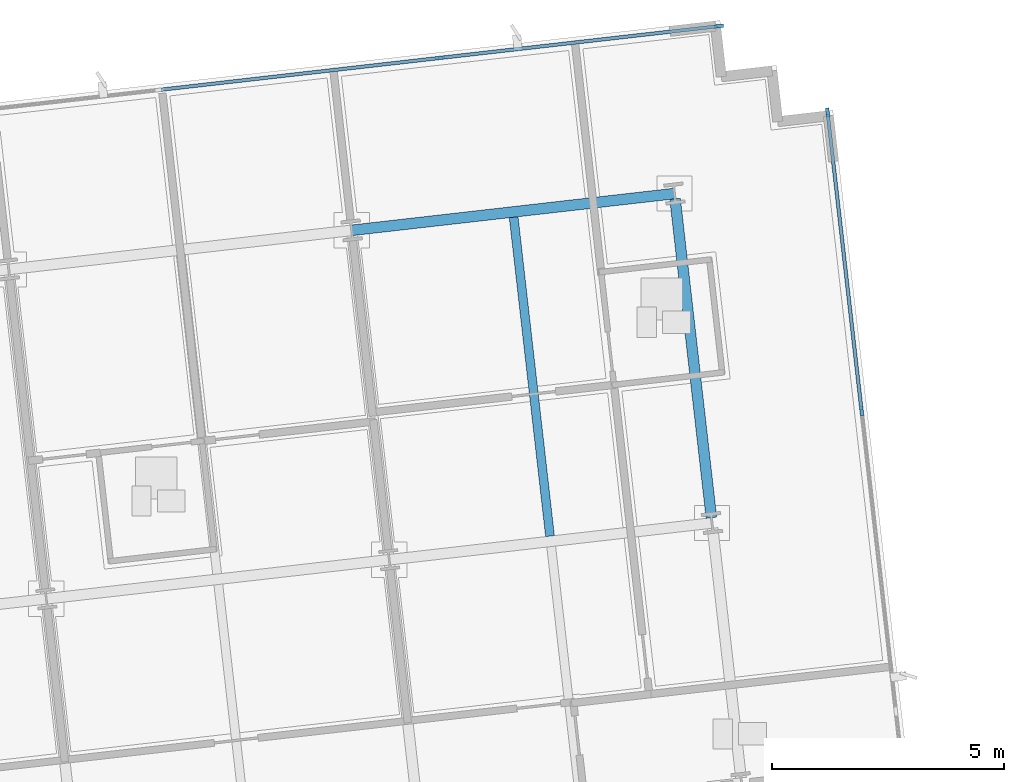
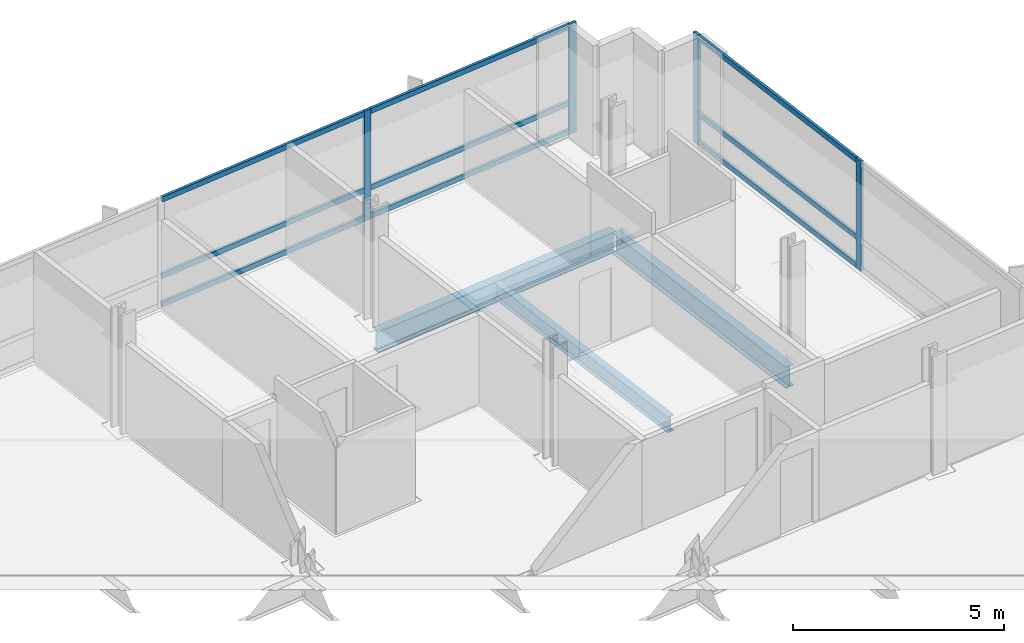
# One storey, part 6 of 17: 13 members, 3 beams, 2 elements without a shape of their own.
"""IFC4 building model written with IfcOpenShell, lengths in metres."""

from ifc_helpers import new_model, si_unit, direction, frame, origin, origin_2d, place, context, subcontext, project, spatial, rectangle, i_section, extrude, material, material_profile, profile_set, type_object, element, aggregate, save


model = new_model("IFC4")

# Units and contexts
model_context = context("Model", 3, precision=1e-05, world=origin(), true_north=direction((0.0, 1.0)))
body_context = subcontext(model_context, "Body", "Model", "MODEL_VIEW")
ifc_project = project(units=[si_unit("LENGTHUNIT", "METRE"), si_unit("AREAUNIT", "SQUARE_METRE"), si_unit("VOLUMEUNIT", "CUBIC_METRE"), si_unit("PLANEANGLEUNIT", "RADIAN"), si_unit("MASSUNIT", "GRAM", prefix="KILO")], contexts=[model_context])

# Site, building, storey
site_placement = place(None, origin())
site = spatial("IfcSite", under=ifc_project, at=site_placement, CompositionType="ELEMENT")
building_placement = place(site_placement, origin())
building = spatial("IfcBuilding", under=site, at=building_placement, Name="Solmavex Isthmus Hotel", CompositionType="ELEMENT")
storey_placement = place(building_placement, frame((0.0, 0.0, 198.60009765625)))
storey = spatial("IfcBuildingStorey", under=building, at=storey_placement, Name="L53", CompositionType="ELEMENT", Elevation=198.60009765625)

# Beams
ifc_material_1 = material(Name="Steel ASTM A992 Grade 50", Category="steel")
ifc_material_profile_1 = material_profile(ifc_material_1, i_section(OverallWidth=0.1904296875, OverallDepth=0.456787109375, WebThickness=0.009033203125, FlangeThickness=0.014404296875, FilletRadius=0.0126953125, at=origin_2d()), Name="W18X50")
ifc_profile_set_1 = profile_set([ifc_material_profile_1], Name="Steel ASTM A992 Grade 50")
beam_type_1 = type_object("IfcBeamType", Name="BM-BJ-W18X50", PredefinedType="JOIST", material=ifc_profile_set_1)
beam_1_placement = place(storey_placement, frame((21.587646484375, 11.7939453125, -0.488525390625), z_axis=(-0.113202453846, 0.993571942258, 0.0), x_axis=(-0.993571942258, -0.113202453846, 0.0)))
element("IfcBeam", 1, at=beam_1_placement, inside=storey, type_object=beam_type_1, Name="Secondary Floor Joist L53-J21", PredefinedType="JOIST", context=body_context, shape_type="SweptSolid", body=[
    extrude(i_section(OverallWidth=0.1904296875, OverallDepth=0.456787109375, WebThickness=0.009033203125, FlangeThickness=0.014404296875, FilletRadius=0.0126953125, at=origin_2d()), origin(), (0.0, 0.0, 1.0), 6.9228515625),
])
ifc_material_profile_2 = material_profile(ifc_material_1, i_section(OverallWidth=0.230224609375, OverallDepth=0.617431640625, WebThickness=0.01318359375, FlangeThickness=0.022216796875, FilletRadius=0.01513671875, at=origin_2d()), Name="W24X94")
ifc_profile_set_2 = profile_set([ifc_material_profile_2], Name="Steel ASTM A992 Grade 50")
beam_type_2 = type_object("IfcBeamType", Name="BM-SP-W24X94", PredefinedType="SPANDREL", material=ifc_profile_set_2)
beam_2_placement = place(storey_placement, frame((17.3095703125, 18.39013671875, -0.56884765625), z_axis=(0.99357359356, 0.113187959519, 0.0), x_axis=(-0.113187959519, 0.99357359356, 0.0)))
element("IfcBeam", 2, at=beam_2_placement, inside=storey, type_object=beam_type_2, Name="Floor Girder L53-UG23", PredefinedType="SPANDREL", context=body_context, shape_type="SweptSolid", body=[
    extrude(i_section(OverallWidth=0.230224609375, OverallDepth=0.617431640625, WebThickness=0.01318359375, FlangeThickness=0.022216796875, FilletRadius=0.01513671875, at=origin_2d()), origin(), (0.0, 0.0, 1.0), 7.0078125),
])
beam_3_placement = place(storey_placement, frame((25.0693359375, 12.1904296875, -0.56884765625), z_axis=(-0.113202453846, 0.993571942258, 0.0), x_axis=(-0.993571942258, -0.113202453846, 0.0)))
element("IfcBeam", 3, at=beam_3_placement, inside=storey, type_object=beam_type_2, Name="Floor Beam L53-VG45", PredefinedType="SPANDREL", context=body_context, shape_type="SweptSolid", body=[
    extrude(i_section(OverallWidth=0.230224609375, OverallDepth=0.617431640625, WebThickness=0.01318359375, FlangeThickness=0.022216796875, FilletRadius=0.01513671875, at=origin_2d()), origin(), (0.0, 0.0, 1.0), 6.9228515625),
])

# Curtain wall, members
ifc_material_2 = material(Name="Aluminium alloy 6063-T6", Category="aluminium")
curtain_wall_type = type_object("IfcCurtainWallType", Name="CW-SYS-04", PredefinedType="NOTDEFINED", material=ifc_material_2)
curtain_wall_1_placement = place(storey_placement, origin())
curtain_wall_1 = element("IfcCurtainWall", 4, at=curtain_wall_1_placement, inside=storey, type_object=curtain_wall_type, Name="Stick Curtain Wall CWL-L53-N3", PredefinedType="NOTDEFINED")
ifc_material_profile_3 = material_profile(ifc_material_2, rectangle(XDim=0.074951171875, YDim=0.199951171875, at=origin_2d()), Name="CWM-75X200")
ifc_profile_set_3 = profile_set([ifc_material_profile_3], Name="Aluminium alloy 6063-T6")
member_type_1 = type_object("IfcMemberType", Name="CW-SYS-04-MUL", PredefinedType="MULLION", material=ifc_profile_set_3)
member_1_placement = place(storey_placement, frame((19.21630859375, 22.10986328125, 0.0), z_axis=(0.0, 0.0, 1.0), x_axis=(-0.113203493636, 0.99357182379, 0.0)))
member_1 = element("IfcMember", 5, at=member_1_placement, type_object=member_type_1, Name="CW-04 mullion 3", PredefinedType="MULLION", context=body_context, shape_type="SweptSolid", body=[
    extrude(rectangle(XDim=0.074951171875, YDim=0.199951171875, at=origin_2d()), origin(), (0.0, 0.0, 1.0), 3.18994140625),
])
member_2_placement = place(storey_placement, frame((25.232177734375, 22.795166015625, 0.0), z_axis=(0.0, 0.0, 1.0), x_axis=(-0.113203493636, 0.99357182379, 0.0)))
member_2 = element("IfcMember", 6, at=member_2_placement, type_object=member_type_1, Name="CW-04 mullion 4", PredefinedType="MULLION", context=body_context, shape_type="SweptSolid", body=[
    extrude(rectangle(XDim=0.074951171875, YDim=0.199951171875, at=origin_2d()), origin(), (0.0, 0.0, 1.0), 3.18994140625),
])

curtain_wall_2_placement = place(storey_placement, origin())
curtain_wall_2 = element("IfcCurtainWall", 7, at=curtain_wall_2_placement, inside=storey, type_object=curtain_wall_type, Name="Stick Curtain Wall CWL-L53-E1", PredefinedType="NOTDEFINED")
member_3_placement = place(storey_placement, frame((28.309814453125, 14.490234375, 0.0), z_axis=(0.0, 0.0, 1.0), x_axis=(-0.993571836648, -0.11320338078, 0.0)))
member_3 = element("IfcMember", 8, at=member_3_placement, type_object=member_type_1, Name="CW-04 mullion 5", PredefinedType="MULLION", context=body_context, shape_type="SweptSolid", body=[
    extrude(rectangle(XDim=0.074951171875, YDim=0.199951171875, at=origin_2d()), origin(), (0.0, 0.0, 1.0), 3.18994140625),
])
member_4_placement = place(storey_placement, frame((27.575927734375, 20.93115234375, 0.0), z_axis=(0.0, 0.0, 1.0), x_axis=(-0.993571836648, -0.11320338078, 0.0)))
member_4 = element("IfcMember", 9, at=member_4_placement, type_object=member_type_1, Name="CW-04 mullion 6", PredefinedType="MULLION", context=body_context, shape_type="SweptSolid", body=[
    extrude(rectangle(XDim=0.074951171875, YDim=0.199951171875, at=origin_2d()), origin(), (0.0, 0.0, 1.0), 3.18994140625),
])

# Member
ifc_material_profile_4 = material_profile(ifc_material_2, rectangle(XDim=0.074951171875, YDim=0.14990234375, at=origin_2d()), Name="CWT-75X150")
ifc_profile_set_4 = profile_set([ifc_material_profile_4], Name="Aluminium alloy 6063-T6")
member_type_2 = type_object("IfcMemberType", Name="CW-SYS-04-TRN", PredefinedType="USERDEFINED", material=ifc_profile_set_4)
member_5_placement = place(storey_placement, frame((13.200439453125, 21.42431640625, 0.074951171875), z_axis=(0.993572627374, 0.113196440458, 0.0), x_axis=(-0.113196440458, 0.993572627374, 0.0)))
member_5 = element("IfcMember", 10, at=member_5_placement, type_object=member_type_2, Name="CW-04 transom 2.1", ObjectType="TRANSOM", PredefinedType="USERDEFINED", context=body_context, shape_type="SweptSolid", body=[
    extrude(rectangle(XDim=0.074951171875, YDim=0.14990234375, at=origin_2d()), origin(), (0.0, 0.0, 1.0), 6.017333984375),
])

member_6_placement = place(storey_placement, frame((13.200439453125, 21.42431640625, 0.89990234375), z_axis=(0.993572627374, 0.113196440458, 0.0), x_axis=(-0.113196440458, 0.993572627374, 0.0)))
member_6 = element("IfcMember", 11, at=member_6_placement, type_object=member_type_2, Name="CW-04 transom 2.2", ObjectType="TRANSOM", PredefinedType="USERDEFINED", context=body_context, shape_type="SweptSolid", body=[
    extrude(rectangle(XDim=0.074951171875, YDim=0.14990234375, at=origin_2d()), origin(), (0.0, 0.0, 1.0), 6.017333984375),
])

member_7_placement = place(storey_placement, frame((13.200439453125, 21.42431640625, 3.114990234375), z_axis=(0.993572627374, 0.113196440458, 0.0), x_axis=(-0.113196440458, 0.993572627374, 0.0)))
member_7 = element("IfcMember", 12, at=member_7_placement, type_object=member_type_2, Name="CW-04 transom 2.3", ObjectType="TRANSOM", PredefinedType="USERDEFINED", context=body_context, shape_type="SweptSolid", body=[
    extrude(rectangle(XDim=0.074951171875, YDim=0.14990234375, at=origin_2d()), origin(), (0.0, 0.0, 1.0), 6.017333984375),
])

member_8_placement = place(storey_placement, frame((19.253662109375, 22.114013671875, 0.074951171875), z_axis=(0.993570647741, 0.113213815179, 0.0), x_axis=(-0.113213815179, 0.993570647741, 0.0)))
member_8 = element("IfcMember", 13, at=member_8_placement, type_object=member_type_2, Name="CW-04 transom 3.1", ObjectType="TRANSOM", PredefinedType="USERDEFINED", context=body_context, shape_type="SweptSolid", body=[
    extrude(rectangle(XDim=0.074951171875, YDim=0.14990234375, at=origin_2d()), origin(), (0.0, 0.0, 1.0), 5.979736328125),
])

member_9_placement = place(storey_placement, frame((19.253662109375, 22.114013671875, 0.89990234375), z_axis=(0.993570647741, 0.113213815179, 0.0), x_axis=(-0.113213815179, 0.993570647741, 0.0)))
member_9 = element("IfcMember", 14, at=member_9_placement, type_object=member_type_2, Name="CW-04 transom 3.2", ObjectType="TRANSOM", PredefinedType="USERDEFINED", context=body_context, shape_type="SweptSolid", body=[
    extrude(rectangle(XDim=0.074951171875, YDim=0.14990234375, at=origin_2d()), origin(), (0.0, 0.0, 1.0), 5.979736328125),
])

member_10_placement = place(storey_placement, frame((19.253662109375, 22.114013671875, 3.114990234375), z_axis=(0.993570647741, 0.113213815179, 0.0), x_axis=(-0.113213815179, 0.993570647741, 0.0)))
member_10 = element("IfcMember", 15, at=member_10_placement, type_object=member_type_2, Name="CW-04 transom 3.3", ObjectType="TRANSOM", PredefinedType="USERDEFINED", context=body_context, shape_type="SweptSolid", body=[
    extrude(rectangle(XDim=0.074951171875, YDim=0.14990234375, at=origin_2d()), origin(), (0.0, 0.0, 1.0), 5.979736328125),
])

aggregate(curtain_wall_1, [member_1, member_2, member_5, member_6, member_7, member_8, member_9, member_10])

member_11_placement = place(storey_placement, frame((28.305419921875, 14.527587890625, 0.074951171875), z_axis=(-0.113203780919, 0.993571791058, 0.0), x_axis=(-0.993571791058, -0.113203780919, 0.0)))
member_11 = element("IfcMember", 16, at=member_11_placement, type_object=member_type_2, Name="CW-04 transom 5.1", ObjectType="TRANSOM", PredefinedType="USERDEFINED", context=body_context, shape_type="SweptSolid", body=[
    extrude(rectangle(XDim=0.074951171875, YDim=0.14990234375, at=origin_2d()), origin(), (0.0, 0.0, 1.0), 6.407470703125),
])

member_12_placement = place(storey_placement, frame((28.305419921875, 14.527587890625, 0.89990234375), z_axis=(-0.113203780919, 0.993571791058, 0.0), x_axis=(-0.993571791058, -0.113203780919, 0.0)))
member_12 = element("IfcMember", 17, at=member_12_placement, type_object=member_type_2, Name="CW-04 transom 5.2", ObjectType="TRANSOM", PredefinedType="USERDEFINED", context=body_context, shape_type="SweptSolid", body=[
    extrude(rectangle(XDim=0.074951171875, YDim=0.14990234375, at=origin_2d()), origin(), (0.0, 0.0, 1.0), 6.407470703125),
])

member_13_placement = place(storey_placement, frame((28.305419921875, 14.527587890625, 3.114990234375), z_axis=(-0.113203780919, 0.993571791058, 0.0), x_axis=(-0.993571791058, -0.113203780919, 0.0)))
member_13 = element("IfcMember", 18, at=member_13_placement, type_object=member_type_2, Name="CW-04 transom 5.3", ObjectType="TRANSOM", PredefinedType="USERDEFINED", context=body_context, shape_type="SweptSolid", body=[
    extrude(rectangle(XDim=0.074951171875, YDim=0.14990234375, at=origin_2d()), origin(), (0.0, 0.0, 1.0), 6.407470703125),
])

aggregate(curtain_wall_2, [member_3, member_4, member_11, member_12, member_13])

save(model, "model.ifc")
